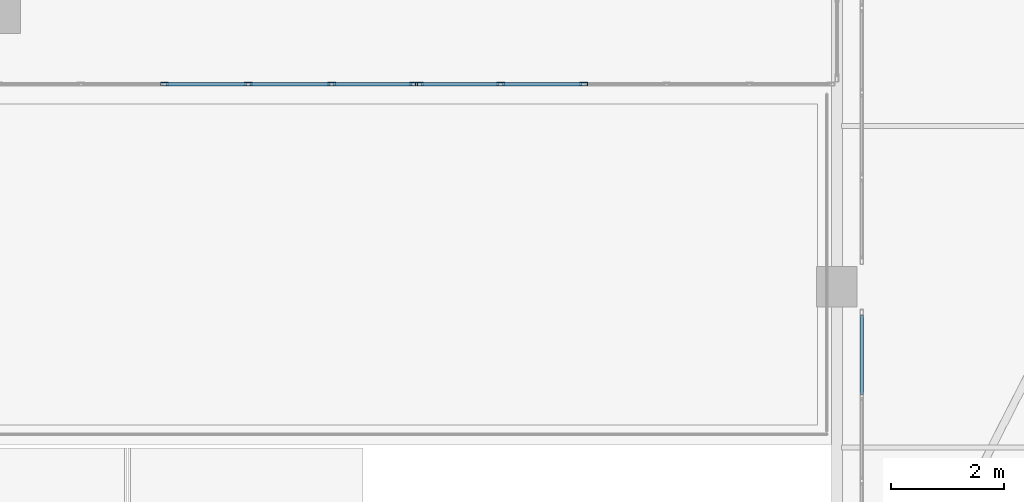
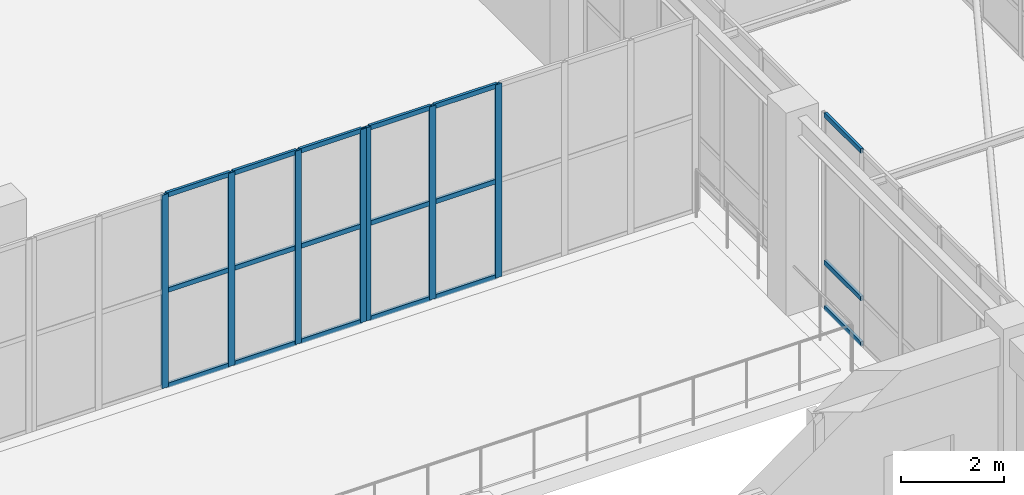
# One storey, part 38 of 158: 25 members, 3 elements without a shape of their own.
"""IFC4 building model written with IfcOpenShell, lengths in metres."""

from ifc_helpers import new_model, si_unit, direction, frame, origin, origin_2d, place, context, subcontext, project, spatial, hollow_rectangle, extrude, material, layer, layer_set, material_profile, profile_set, type_object, element, aggregate, save


model = new_model("IFC4")

# Units and contexts
model_context = context("Model", 3, precision=1e-05, world=origin(), true_north=direction((0.0, 1.0)))
body_context = subcontext(model_context, "Body", "Model", "MODEL_VIEW")
ifc_project = project(units=[si_unit("LENGTHUNIT", "METRE"), si_unit("AREAUNIT", "SQUARE_METRE"), si_unit("VOLUMEUNIT", "CUBIC_METRE"), si_unit("PLANEANGLEUNIT", "RADIAN"), si_unit("MASSUNIT", "GRAM", prefix="KILO")], contexts=[model_context])

# Site, building, storey
site_placement = place(None, origin())
site = spatial("IfcSite", under=ifc_project, at=site_placement, CompositionType="ELEMENT")
building_placement = place(site_placement, origin())
building = spatial("IfcBuilding", under=site, at=building_placement, Name="Trelvath General Hospital", CompositionType="ELEMENT")
storey_placement = place(building_placement, frame((0.0, 0.0, 8.10009765625)))
storey = spatial("IfcBuildingStorey", under=building, at=storey_placement, Name="L02", CompositionType="ELEMENT", Elevation=8.10009765625)

# Curtain wall, members
ifc_material_1 = material(Name="Anodised aluminium and low-E glass", Category="aluminium")
ifc_layer_1 = layer(ifc_material_1, 0.139892578125)
ifc_layer_set_1 = layer_set([ifc_layer_1], Name="Anodised aluminium and low-E glass")
curtain_wall_type_1 = type_object("IfcCurtainWallType", Name="CW CrystalCube 743 456 14", PredefinedType="USERDEFINED", material=ifc_layer_set_1)
curtain_wall_1_placement = place(storey_placement, origin())
curtain_wall_1 = element("IfcCurtainWall", 1, at=curtain_wall_1_placement, inside=storey, type_object=curtain_wall_type_1, Name="Crystal Cube Curtain Wall CUBE-W-T1 S2 L02", ObjectType="Unitised Glazed Curtain Wall", PredefinedType="USERDEFINED")
ifc_material_2 = material(Name="Anodised aluminium", Category="aluminium")
ifc_material_profile_1 = material_profile(ifc_material_2, hollow_rectangle(XDim=0.06005859375, YDim=0.139892578125, WallThickness=0.00390625, at=origin_2d()), Name="RHS60x140x4")
ifc_profile_set_1 = profile_set([ifc_material_profile_1], Name="Anodised aluminium")
member_type_1 = type_object("IfcMemberType", Name="CurtainMullion 60x140", PredefinedType="MULLION", material=ifc_profile_set_1)
member_1_placement = place(storey_placement, frame((68.083251953125, 37.199951171875, 0.0), z_axis=(0.0, 0.0, 1.0), x_axis=(0.0, -1.0, 0.0)))
member_1 = element("IfcMember", 2, at=member_1_placement, type_object=member_type_1, Name="CW-191 mullion 1", PredefinedType="MULLION", context=body_context, shape_type="SweptSolid", body=[
    extrude(hollow_rectangle(XDim=0.06005859375, YDim=0.139892578125, WallThickness=0.00390625, at=origin_2d()), origin(), (0.0, 0.0, 1.0), 4.559814453125),
])
member_2_placement = place(storey_placement, frame((66.6279296875, 37.199951171875, 0.0), z_axis=(0.0, 0.0, 1.0), x_axis=(0.0, -1.0, 0.0)))
member_2 = element("IfcMember", 3, at=member_2_placement, type_object=member_type_1, Name="CW-191 mullion 2", PredefinedType="MULLION", context=body_context, shape_type="SweptSolid", body=[
    extrude(hollow_rectangle(XDim=0.06005859375, YDim=0.139892578125, WallThickness=0.00390625, at=origin_2d()), origin(), (0.0, 0.0, 1.0), 4.559814453125),
])
member_3_placement = place(storey_placement, frame((65.142578125, 37.199951171875, 0.0), z_axis=(0.0, 0.0, 1.0), x_axis=(0.0, -1.0, 0.0)))
member_3 = element("IfcMember", 4, at=member_3_placement, type_object=member_type_1, Name="CW-191 mullion 3", PredefinedType="MULLION", context=body_context, shape_type="SweptSolid", body=[
    extrude(hollow_rectangle(XDim=0.06005859375, YDim=0.139892578125, WallThickness=0.00390625, at=origin_2d()), origin(), (0.0, 0.0, 1.0), 4.559814453125),
])
member_4_placement = place(storey_placement, frame((63.6572265625, 37.199951171875, 0.0), z_axis=(0.0, 0.0, 1.0), x_axis=(0.0, -1.0, 0.0)))
member_4 = element("IfcMember", 5, at=member_4_placement, type_object=member_type_1, Name="CW-191 mullion 4", PredefinedType="MULLION", context=body_context, shape_type="SweptSolid", body=[
    extrude(hollow_rectangle(XDim=0.06005859375, YDim=0.139892578125, WallThickness=0.00390625, at=origin_2d()), origin(), (0.0, 0.0, 1.0), 4.559814453125),
])

ifc_material_3 = material(Name="Anodised aluminium and low-E glass", Category="aluminium")
ifc_layer_2 = layer(ifc_material_3, 0.139892578125)
ifc_layer_set_2 = layer_set([ifc_layer_2], Name="Anodised aluminium and low-E glass")
curtain_wall_type_2 = type_object("IfcCurtainWallType", Name="CW CrystalCube 737 456 14", PredefinedType="USERDEFINED", material=ifc_layer_set_2)
curtain_wall_2_placement = place(storey_placement, origin())
curtain_wall_2 = element("IfcCurtainWall", 6, at=curtain_wall_2_placement, inside=storey, type_object=curtain_wall_type_2, Name="Crystal Cube Curtain Wall CUBE-W-T1 S3 L02", ObjectType="Unitised Glazed Curtain Wall", PredefinedType="USERDEFINED")
member_5_placement = place(storey_placement, frame((71.10009765625, 37.199951171875, 0.0), z_axis=(0.0, 0.0, 1.0), x_axis=(0.0, -1.0, 0.0)))
member_5 = element("IfcMember", 7, at=member_5_placement, type_object=member_type_1, Name="CW-192 mullion 4", PredefinedType="MULLION", context=body_context, shape_type="SweptSolid", body=[
    extrude(hollow_rectangle(XDim=0.06005859375, YDim=0.139892578125, WallThickness=0.00390625, at=origin_2d()), origin(), (0.0, 0.0, 1.0), 4.559814453125),
])
member_6_placement = place(storey_placement, frame((69.626708984375, 37.199951171875, 0.0), z_axis=(0.0, 0.0, 1.0), x_axis=(0.0, -1.0, 0.0)))
member_6 = element("IfcMember", 8, at=member_6_placement, type_object=member_type_1, Name="CW-192 mullion 5", PredefinedType="MULLION", context=body_context, shape_type="SweptSolid", body=[
    extrude(hollow_rectangle(XDim=0.06005859375, YDim=0.139892578125, WallThickness=0.00390625, at=origin_2d()), origin(), (0.0, 0.0, 1.0), 4.559814453125),
])
member_7_placement = place(storey_placement, frame((68.183349609375, 37.199951171875, 0.0), z_axis=(0.0, 0.0, 1.0), x_axis=(0.0, -1.0, 0.0)))
member_7 = element("IfcMember", 9, at=member_7_placement, type_object=member_type_1, Name="CW-192 mullion 6", PredefinedType="MULLION", context=body_context, shape_type="SweptSolid", body=[
    extrude(hollow_rectangle(XDim=0.06005859375, YDim=0.139892578125, WallThickness=0.00390625, at=origin_2d()), origin(), (0.0, 0.0, 1.0), 4.559814453125),
])

# Member
ifc_material_4 = material(Name="Anodised aluminium", Category="aluminium")
ifc_material_profile_2 = material_profile(ifc_material_4, hollow_rectangle(XDim=0.06005859375, YDim=0.110107421875, WallThickness=0.00390625, at=origin_2d()), Name="RHS60x110x4")
ifc_profile_set_2 = profile_set([ifc_material_profile_2], Name="Anodised aluminium")
member_type_2 = type_object("IfcMemberType", Name="CurtainTransom 60x110", PredefinedType="USERDEFINED", material=ifc_profile_set_2)
member_8_placement = place(storey_placement, frame((68.05322265625, 37.199951171875, 0.02978515625), z_axis=(-1.0, 0.0, 0.0), x_axis=(0.0, -1.0, 0.0)))
member_8 = element("IfcMember", 10, at=member_8_placement, type_object=member_type_2, Name="CW-191 transom 1.1", ObjectType="TRANSOM", PredefinedType="USERDEFINED", context=body_context, shape_type="SweptSolid", body=[
    extrude(hollow_rectangle(XDim=0.06005859375, YDim=0.110107421875, WallThickness=0.00390625, at=origin_2d()), origin(), (0.0, 0.0, 1.0), 1.395263671875),
])

member_9_placement = place(storey_placement, frame((68.05322265625, 37.199951171875, 2.27978515625), z_axis=(-1.0, 0.0, 0.0), x_axis=(0.0, -1.0, 0.0)))
member_9 = element("IfcMember", 11, at=member_9_placement, type_object=member_type_2, Name="CW-191 transom 1.2", ObjectType="TRANSOM", PredefinedType="USERDEFINED", context=body_context, shape_type="SweptSolid", body=[
    extrude(hollow_rectangle(XDim=0.06005859375, YDim=0.110107421875, WallThickness=0.00390625, at=origin_2d()), origin(), (0.0, 0.0, 1.0), 1.395263671875),
])

member_10_placement = place(storey_placement, frame((68.05322265625, 37.199951171875, 4.52978515625), z_axis=(-1.0, 0.0, 0.0), x_axis=(0.0, -1.0, 0.0)))
member_10 = element("IfcMember", 12, at=member_10_placement, type_object=member_type_2, Name="CW-191 transom 1.3", ObjectType="TRANSOM", PredefinedType="USERDEFINED", context=body_context, shape_type="SweptSolid", body=[
    extrude(hollow_rectangle(XDim=0.06005859375, YDim=0.110107421875, WallThickness=0.00390625, at=origin_2d()), origin(), (0.0, 0.0, 1.0), 1.395263671875),
])

member_11_placement = place(storey_placement, frame((66.597900390625, 37.199951171875, 0.02978515625), z_axis=(-1.0, 0.0, 0.0), x_axis=(0.0, -1.0, 0.0)))
member_11 = element("IfcMember", 13, at=member_11_placement, type_object=member_type_2, Name="CW-191 transom 2.1", ObjectType="TRANSOM", PredefinedType="USERDEFINED", context=body_context, shape_type="SweptSolid", body=[
    extrude(hollow_rectangle(XDim=0.06005859375, YDim=0.110107421875, WallThickness=0.00390625, at=origin_2d()), origin(), (0.0, 0.0, 1.0), 1.42529296875),
])

member_12_placement = place(storey_placement, frame((66.597900390625, 37.199951171875, 2.27978515625), z_axis=(-1.0, 0.0, 0.0), x_axis=(0.0, -1.0, 0.0)))
member_12 = element("IfcMember", 14, at=member_12_placement, type_object=member_type_2, Name="CW-191 transom 2.2", ObjectType="TRANSOM", PredefinedType="USERDEFINED", context=body_context, shape_type="SweptSolid", body=[
    extrude(hollow_rectangle(XDim=0.06005859375, YDim=0.110107421875, WallThickness=0.00390625, at=origin_2d()), origin(), (0.0, 0.0, 1.0), 1.42529296875),
])

member_13_placement = place(storey_placement, frame((66.597900390625, 37.199951171875, 4.52978515625), z_axis=(-1.0, 0.0, 0.0), x_axis=(0.0, -1.0, 0.0)))
member_13 = element("IfcMember", 15, at=member_13_placement, type_object=member_type_2, Name="CW-191 transom 2.3", ObjectType="TRANSOM", PredefinedType="USERDEFINED", context=body_context, shape_type="SweptSolid", body=[
    extrude(hollow_rectangle(XDim=0.06005859375, YDim=0.110107421875, WallThickness=0.00390625, at=origin_2d()), origin(), (0.0, 0.0, 1.0), 1.42529296875),
])

member_14_placement = place(storey_placement, frame((65.112548828125, 37.199951171875, 0.02978515625), z_axis=(-1.0, 0.0, 0.0), x_axis=(0.0, -1.0, 0.0)))
member_14 = element("IfcMember", 16, at=member_14_placement, type_object=member_type_2, Name="CW-191 transom 3.1", ObjectType="TRANSOM", PredefinedType="USERDEFINED", context=body_context, shape_type="SweptSolid", body=[
    extrude(hollow_rectangle(XDim=0.06005859375, YDim=0.110107421875, WallThickness=0.00390625, at=origin_2d()), origin(), (0.0, 0.0, 1.0), 1.42529296875),
])

member_15_placement = place(storey_placement, frame((65.112548828125, 37.199951171875, 2.27978515625), z_axis=(-1.0, 0.0, 0.0), x_axis=(0.0, -1.0, 0.0)))
member_15 = element("IfcMember", 17, at=member_15_placement, type_object=member_type_2, Name="CW-191 transom 3.2", ObjectType="TRANSOM", PredefinedType="USERDEFINED", context=body_context, shape_type="SweptSolid", body=[
    extrude(hollow_rectangle(XDim=0.06005859375, YDim=0.110107421875, WallThickness=0.00390625, at=origin_2d()), origin(), (0.0, 0.0, 1.0), 1.42529296875),
])

member_16_placement = place(storey_placement, frame((65.112548828125, 37.199951171875, 4.52978515625), z_axis=(-1.0, 0.0, 0.0), x_axis=(0.0, -1.0, 0.0)))
member_16 = element("IfcMember", 18, at=member_16_placement, type_object=member_type_2, Name="CW-191 transom 3.3", ObjectType="TRANSOM", PredefinedType="USERDEFINED", context=body_context, shape_type="SweptSolid", body=[
    extrude(hollow_rectangle(XDim=0.06005859375, YDim=0.110107421875, WallThickness=0.00390625, at=origin_2d()), origin(), (0.0, 0.0, 1.0), 1.42529296875),
])

aggregate(curtain_wall_1, [member_1, member_2, member_3, member_4, member_8, member_9, member_10, member_11, member_12, member_13, member_14, member_15, member_16])

member_17_placement = place(storey_placement, frame((71.070068359375, 37.199951171875, 0.02978515625), z_axis=(-1.0, 0.0, 0.0), x_axis=(0.0, -1.0, 0.0)))
member_17 = element("IfcMember", 19, at=member_17_placement, type_object=member_type_2, Name="CW-192 transom 4.1", ObjectType="TRANSOM", PredefinedType="USERDEFINED", context=body_context, shape_type="SweptSolid", body=[
    extrude(hollow_rectangle(XDim=0.06005859375, YDim=0.110107421875, WallThickness=0.00390625, at=origin_2d()), origin(), (0.0, 0.0, 1.0), 1.413330078125),
])

member_18_placement = place(storey_placement, frame((71.070068359375, 37.199951171875, 2.27978515625), z_axis=(-1.0, 0.0, 0.0), x_axis=(0.0, -1.0, 0.0)))
member_18 = element("IfcMember", 20, at=member_18_placement, type_object=member_type_2, Name="CW-192 transom 4.2", ObjectType="TRANSOM", PredefinedType="USERDEFINED", context=body_context, shape_type="SweptSolid", body=[
    extrude(hollow_rectangle(XDim=0.06005859375, YDim=0.110107421875, WallThickness=0.00390625, at=origin_2d()), origin(), (0.0, 0.0, 1.0), 1.413330078125),
])

member_19_placement = place(storey_placement, frame((71.070068359375, 37.199951171875, 4.52978515625), z_axis=(-1.0, 0.0, 0.0), x_axis=(0.0, -1.0, 0.0)))
member_19 = element("IfcMember", 21, at=member_19_placement, type_object=member_type_2, Name="CW-192 transom 4.3", ObjectType="TRANSOM", PredefinedType="USERDEFINED", context=body_context, shape_type="SweptSolid", body=[
    extrude(hollow_rectangle(XDim=0.06005859375, YDim=0.110107421875, WallThickness=0.00390625, at=origin_2d()), origin(), (0.0, 0.0, 1.0), 1.413330078125),
])

member_20_placement = place(storey_placement, frame((69.5966796875, 37.199951171875, 0.02978515625), z_axis=(-1.0, 0.0, 0.0), x_axis=(0.0, -1.0, 0.0)))
member_20 = element("IfcMember", 22, at=member_20_placement, type_object=member_type_2, Name="CW-192 transom 5.1", ObjectType="TRANSOM", PredefinedType="USERDEFINED", context=body_context, shape_type="SweptSolid", body=[
    extrude(hollow_rectangle(XDim=0.06005859375, YDim=0.110107421875, WallThickness=0.00390625, at=origin_2d()), origin(), (0.0, 0.0, 1.0), 1.38330078125),
])

member_21_placement = place(storey_placement, frame((69.5966796875, 37.199951171875, 2.27978515625), z_axis=(-1.0, 0.0, 0.0), x_axis=(0.0, -1.0, 0.0)))
member_21 = element("IfcMember", 23, at=member_21_placement, type_object=member_type_2, Name="CW-192 transom 5.2", ObjectType="TRANSOM", PredefinedType="USERDEFINED", context=body_context, shape_type="SweptSolid", body=[
    extrude(hollow_rectangle(XDim=0.06005859375, YDim=0.110107421875, WallThickness=0.00390625, at=origin_2d()), origin(), (0.0, 0.0, 1.0), 1.38330078125),
])

member_22_placement = place(storey_placement, frame((69.5966796875, 37.199951171875, 4.52978515625), z_axis=(-1.0, 0.0, 0.0), x_axis=(0.0, -1.0, 0.0)))
member_22 = element("IfcMember", 24, at=member_22_placement, type_object=member_type_2, Name="CW-192 transom 5.3", ObjectType="TRANSOM", PredefinedType="USERDEFINED", context=body_context, shape_type="SweptSolid", body=[
    extrude(hollow_rectangle(XDim=0.06005859375, YDim=0.110107421875, WallThickness=0.00390625, at=origin_2d()), origin(), (0.0, 0.0, 1.0), 1.38330078125),
])

aggregate(curtain_wall_2, [member_5, member_6, member_7, member_17, member_18, member_19, member_20, member_21, member_22])

# Curtain wall, members
ifc_material_5 = material(Name="Anodised aluminium and low-E glass", Category="aluminium")
ifc_layer_3 = layer(ifc_material_5, 0.139892578125)
ifc_layer_set_3 = layer_set([ifc_layer_3], Name="Anodised aluminium and low-E glass")
curtain_wall_type_3 = type_object("IfcCurtainWallType", Name="CW Bridge 752 461", PredefinedType="USERDEFINED", material=ifc_layer_set_3)
curtain_wall_3_placement = place(storey_placement, origin())
curtain_wall_3 = element("IfcCurtainWall", 25, at=curtain_wall_3_placement, inside=storey, type_object=curtain_wall_type_3, Name="Glazed Bridge Curtain Wall BRG-S-C W L02", ObjectType="Unitised Glazed Curtain Wall", PredefinedType="USERDEFINED")
member_23_placement = place(storey_placement, frame((76.0400390625, 31.68603515625, 0.02978515625), z_axis=(0.0, 1.0, 0.0), x_axis=(-1.0, 0.0, 0.0)))
member_23 = element("IfcMember", 26, at=member_23_placement, type_object=member_type_2, Name="CW-226 transom 5.1", ObjectType="TRANSOM", PredefinedType="USERDEFINED", context=body_context, shape_type="SweptSolid", body=[
    extrude(hollow_rectangle(XDim=0.06005859375, YDim=0.110107421875, WallThickness=0.00390625, at=origin_2d()), origin(), (0.0, 0.0, 1.0), 1.4140625),
])
member_24_placement = place(storey_placement, frame((76.0400390625, 31.68603515625, 1.099853515625), z_axis=(0.0, 1.0, 0.0), x_axis=(-1.0, 0.0, 0.0)))
member_24 = element("IfcMember", 27, at=member_24_placement, type_object=member_type_2, Name="CW-226 transom 5.2", ObjectType="TRANSOM", PredefinedType="USERDEFINED", context=body_context, shape_type="SweptSolid", body=[
    extrude(hollow_rectangle(XDim=0.06005859375, YDim=0.110107421875, WallThickness=0.00390625, at=origin_2d()), origin(), (0.0, 0.0, 1.0), 1.4140625),
])
member_25_placement = place(storey_placement, frame((76.0400390625, 31.68603515625, 4.579833984375), z_axis=(0.0, 1.0, 0.0), x_axis=(-1.0, 0.0, 0.0)))
member_25 = element("IfcMember", 28, at=member_25_placement, type_object=member_type_2, Name="CW-226 transom 5.3", ObjectType="TRANSOM", PredefinedType="USERDEFINED", context=body_context, shape_type="SweptSolid", body=[
    extrude(hollow_rectangle(XDim=0.06005859375, YDim=0.110107421875, WallThickness=0.00390625, at=origin_2d()), origin(), (0.0, 0.0, 1.0), 1.4140625),
])
aggregate(curtain_wall_3, [member_23, member_24, member_25])

save(model, "model.ifc")
